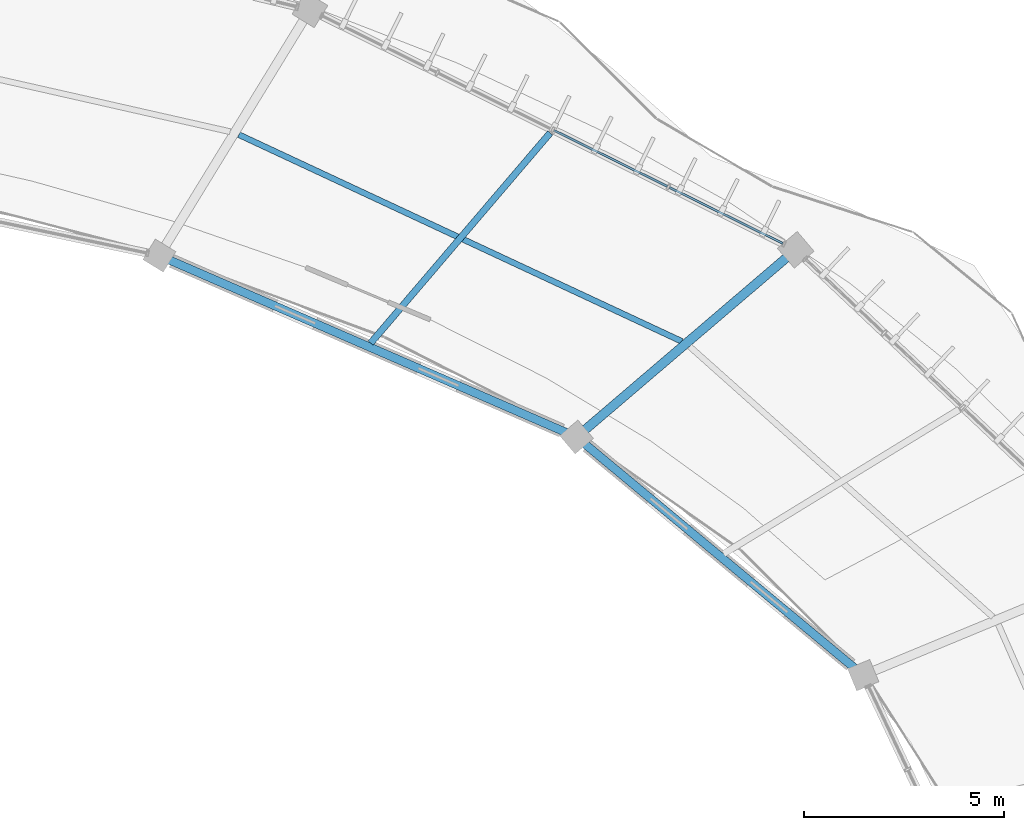
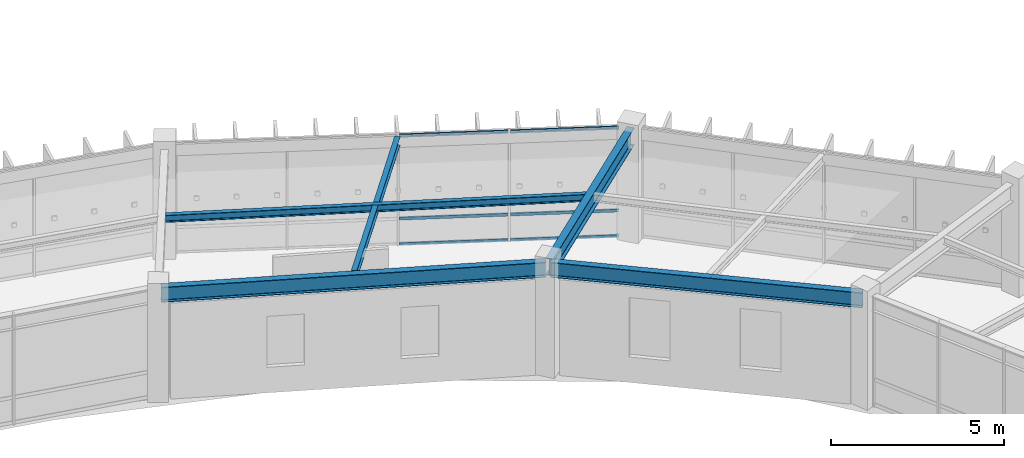
# One storey, part 65 of 114: 6 members, 5 beams, 1 element without a shape of its own.
"""IFC4 building model written with IfcOpenShell, lengths in metres."""

from ifc_helpers import new_model, si_unit, direction, frame, origin, origin_2d, place, context, subcontext, project, spatial, hollow_rectangle, i_section, extrude, material, material_profile, profile_set, type_object, element, aggregate, save


model = new_model("IFC4")

# Units and contexts
model_context = context("Model", 3, precision=1e-05, world=origin(), true_north=direction((0.0, 1.0)))
body_context = subcontext(model_context, "Body", "Model", "MODEL_VIEW")
ifc_project = project(units=[si_unit("LENGTHUNIT", "METRE"), si_unit("AREAUNIT", "SQUARE_METRE"), si_unit("VOLUMEUNIT", "CUBIC_METRE"), si_unit("PLANEANGLEUNIT", "RADIAN"), si_unit("MASSUNIT", "GRAM", prefix="KILO"), si_unit("THERMODYNAMICTEMPERATUREUNIT", "KELVIN"), si_unit("POWERUNIT", "WATT")], contexts=[model_context])

# Site, building, storey
site_placement = place(None, origin())
site = spatial("IfcSite", under=ifc_project, at=site_placement, CompositionType="ELEMENT")
building_placement = place(site_placement, origin())
building = spatial("IfcBuilding", under=site, at=building_placement, Name="Darbajah Civic Hall", CompositionType="ELEMENT")
storey_placement = place(building_placement, frame((0.0, 0.0, 13.800048828125)))
storey = spatial("IfcBuildingStorey", under=building, at=storey_placement, Name="L03", CompositionType="ELEMENT", Elevation=13.800048828125)

# Curtain wall, members
ifc_material_1 = material(Name="Anodised Bronze Aluminium and Low-E Glazing", Category="aluminium")
curtain_wall_type = type_object("IfcCurtainWallType", Name="Unitised Curtain Wall CW-56 12900x3900", PredefinedType="USERDEFINED", material=ifc_material_1)
curtain_wall_placement = place(storey_placement, origin())
curtain_wall = element("IfcCurtainWall", 1, at=curtain_wall_placement, inside=storey, type_object=curtain_wall_type, Name="L03 unitised curtain wall CW-V1O-L03-02", ObjectType="UNITISED CURTAIN WALL", PredefinedType="USERDEFINED")
ifc_material_2 = material(Name="Anodised Bronze Aluminium", Category="aluminium")
ifc_material_profile_1 = material_profile(ifc_material_2, hollow_rectangle(XDim=0.054931640625, YDim=0.10009765625, WallThickness=0.0029296875, at=origin_2d()), Name="ALU TRANSOM 55x100")
ifc_profile_set_1 = profile_set([ifc_material_profile_1], Name="Anodised Bronze Aluminium")
member_type = type_object("IfcMemberType", Name="ALU TRANSOM 55x100", PredefinedType="USERDEFINED", material=ifc_profile_set_1)
member_1_placement = place(storey_placement, frame((127.558349609375, 109.117919921875, 0.050048828125), z_axis=(-0.896537562608, 0.442967717597, 0.0), x_axis=(-0.442967717597, -0.896537562608, 0.0)))
member_1 = element("IfcMember", 2, at=member_1_placement, type_object=member_type, Name="CW-V1O-L03-02 transom 1.1", ObjectType="TRANSOM", PredefinedType="USERDEFINED", context=body_context, shape_type="SweptSolid", body=[
    extrude(hollow_rectangle(XDim=0.054931640625, YDim=0.10009765625, WallThickness=0.0029296875, at=origin_2d()), origin(), (0.0, 0.0, 1.0), 3.15478515625),
])
member_2_placement = place(storey_placement, frame((127.558349609375, 109.117919921875, 0.949951171875), z_axis=(-0.896537562608, 0.442967717597, 0.0), x_axis=(-0.442967717597, -0.896537562608, 0.0)))
member_2 = element("IfcMember", 3, at=member_2_placement, type_object=member_type, Name="CW-V1O-L03-02 transom 1.2", ObjectType="TRANSOM", PredefinedType="USERDEFINED", context=body_context, shape_type="SweptSolid", body=[
    extrude(hollow_rectangle(XDim=0.054931640625, YDim=0.10009765625, WallThickness=0.0029296875, at=origin_2d()), origin(), (0.0, 0.0, 1.0), 3.15478515625),
])
member_3_placement = place(storey_placement, frame((127.558349609375, 109.117919921875, 3.869873046875), z_axis=(-0.896537562608, 0.442967717597, 0.0), x_axis=(-0.442967717597, -0.896537562608, 0.0)))
member_3 = element("IfcMember", 4, at=member_3_placement, type_object=member_type, Name="CW-V1O-L03-02 transom 1.3", ObjectType="TRANSOM", PredefinedType="USERDEFINED", context=body_context, shape_type="SweptSolid", body=[
    extrude(hollow_rectangle(XDim=0.054931640625, YDim=0.10009765625, WallThickness=0.0029296875, at=origin_2d()), origin(), (0.0, 0.0, 1.0), 3.15478515625),
])
member_4_placement = place(storey_placement, frame((124.671630859375, 110.5439453125, 0.050048828125), z_axis=(-0.896537562608, 0.442967717597, 0.0), x_axis=(-0.442967717597, -0.896537562608, 0.0)))
member_4 = element("IfcMember", 5, at=member_4_placement, type_object=member_type, Name="CW-V1O-L03-02 transom 2.1", ObjectType="TRANSOM", PredefinedType="USERDEFINED", context=body_context, shape_type="SweptSolid", body=[
    extrude(hollow_rectangle(XDim=0.054931640625, YDim=0.10009765625, WallThickness=0.0029296875, at=origin_2d()), origin(), (0.0, 0.0, 1.0), 3.15478515625),
])
member_5_placement = place(storey_placement, frame((124.671630859375, 110.5439453125, 0.949951171875), z_axis=(-0.896537562608, 0.442967717597, 0.0), x_axis=(-0.442967717597, -0.896537562608, 0.0)))
member_5 = element("IfcMember", 6, at=member_5_placement, type_object=member_type, Name="CW-V1O-L03-02 transom 2.2", ObjectType="TRANSOM", PredefinedType="USERDEFINED", context=body_context, shape_type="SweptSolid", body=[
    extrude(hollow_rectangle(XDim=0.054931640625, YDim=0.10009765625, WallThickness=0.0029296875, at=origin_2d()), origin(), (0.0, 0.0, 1.0), 3.15478515625),
])
member_6_placement = place(storey_placement, frame((124.671630859375, 110.5439453125, 3.869873046875), z_axis=(-0.896537562608, 0.442967717597, 0.0), x_axis=(-0.442967717597, -0.896537562608, 0.0)))
member_6 = element("IfcMember", 7, at=member_6_placement, type_object=member_type, Name="CW-V1O-L03-02 transom 2.3", ObjectType="TRANSOM", PredefinedType="USERDEFINED", context=body_context, shape_type="SweptSolid", body=[
    extrude(hollow_rectangle(XDim=0.054931640625, YDim=0.10009765625, WallThickness=0.0029296875, at=origin_2d()), origin(), (0.0, 0.0, 1.0), 3.15478515625),
])
aggregate(curtain_wall, [member_1, member_2, member_3, member_4, member_5, member_6])

# Beams
ifc_material_3 = material(Name="Steel S355JR", Category="steel")
ifc_material_profile_2 = material_profile(ifc_material_3, i_section(OverallWidth=0.146484375, OverallDepth=0.256103515625, WebThickness=0.00634765625, FlangeThickness=0.010986328125, FilletRadius=0.007568359375, at=origin_2d()), Name="UB 254x146x37")
ifc_profile_set_2 = profile_set([ifc_material_profile_2], Name="Steel S355JR")
beam_type_1 = type_object("IfcBeamType", Name="UB 254x146x37", PredefinedType="JOIST", material=ifc_profile_set_2)
beam_1_placement = place(storey_placement, frame((125.0380859375, 106.669921875, 3.7919921875), z_axis=(-0.906187225773, 0.422876709982, 0.0), x_axis=(-0.422876709982, -0.906187225773, 0.0)))
element("IfcBeam", 8, at=beam_1_placement, inside=storey, type_object=beam_type_1, Name="L03 beam SJ-254", PredefinedType="JOIST", context=body_context, shape_type="SweptSolid", body=[
    extrude(i_section(OverallWidth=0.146484375, OverallDepth=0.256103515625, WebThickness=0.00634765625, FlangeThickness=0.010986328125, FilletRadius=0.007568359375, at=origin_2d()), origin(), (0.0, 0.0, 1.0), 12.21240234375),
])
ifc_material_profile_3 = material_profile(ifc_material_3, i_section(OverallWidth=0.165771484375, OverallDepth=0.306640625, WebThickness=0.006591796875, FlangeThickness=0.01171875, FilletRadius=0.0087890625, at=origin_2d()), Name="UB 305x165x46")
ifc_profile_set_3 = profile_set([ifc_material_profile_3], Name="Steel S355JR")
beam_type_2 = type_object("IfcBeamType", Name="UB 305x165x46", PredefinedType="JOIST", material=ifc_profile_set_3)
beam_2_placement = place(storey_placement, frame((117.264404296875, 106.62890625, 3.7666015625), z_axis=(0.649456456581, 0.760398784195, 0.0), x_axis=(-0.760398784195, 0.649456456581, 0.0)))
element("IfcBeam", 9, at=beam_2_placement, inside=storey, type_object=beam_type_2, Name="L03 beam SJ-305", PredefinedType="JOIST", context=body_context, shape_type="SweptSolid", body=[
    extrude(i_section(OverallWidth=0.165771484375, OverallDepth=0.306640625, WebThickness=0.006591796875, FlangeThickness=0.01171875, FilletRadius=0.0087890625, at=origin_2d()), origin(), (0.0, 0.0, 1.0), 6.9033203125),
])
ifc_material_profile_4 = material_profile(ifc_material_3, i_section(OverallWidth=0.209228515625, OverallDepth=0.533203125, WebThickness=0.010009765625, FlangeThickness=0.015625, FilletRadius=0.0126953125, at=origin_2d()), Name="UB 533x210x92")
ifc_profile_set_4 = profile_set([ifc_material_profile_4], Name="Steel S355JR")
beam_type_3 = type_object("IfcBeamType", Name="UB 533x210x92", PredefinedType="BEAM", material=ifc_profile_set_4)
beam_3_placement = place(storey_placement, frame((129.50439453125, 98.385009765625, 3.653564453125), z_axis=(-0.769165350471, 0.63904981311, 0.0), x_axis=(-0.63904981311, -0.769165350471, 0.0)))
element("IfcBeam", 10, at=beam_3_placement, inside=storey, type_object=beam_type_3, Name="L03 beam SB-533", PredefinedType="BEAM", context=body_context, shape_type="SweptSolid", body=[
    extrude(i_section(OverallWidth=0.209228515625, OverallDepth=0.533203125, WebThickness=0.010009765625, FlangeThickness=0.015625, FilletRadius=0.0126953125, at=origin_2d()), origin(), (0.0, 0.0, 1.0), 9.14892578125),
])
beam_4_placement = place(storey_placement, frame((122.33251953125, 104.314697265625, 3.653564453125), z_axis=(-0.91705481115, 0.398761173319, 0.0), x_axis=(-0.398761173319, -0.91705481115, 0.0)))
element("IfcBeam", 11, at=beam_4_placement, inside=storey, type_object=beam_type_3, Name="L03 beam SB-533", PredefinedType="BEAM", context=body_context, shape_type="SweptSolid", body=[
    extrude(i_section(OverallWidth=0.209228515625, OverallDepth=0.533203125, WebThickness=0.010009765625, FlangeThickness=0.015625, FilletRadius=0.0126953125, at=origin_2d()), origin(), (0.0, 0.0, 1.0), 11.202880859375),
])
ifc_material_profile_5 = material_profile(ifc_material_3, i_section(OverallWidth=0.228271484375, OverallDepth=0.607666015625, WebThickness=0.010986328125, FlangeThickness=0.017333984375, FilletRadius=0.0126953125, at=origin_2d()), Name="UB 610x229x113")
ifc_profile_set_5 = profile_set([ifc_material_profile_5], Name="Steel S355JR")
beam_type_4 = type_object("IfcBeamType", Name="UB 610x229x113", PredefinedType="BEAM", material=ifc_profile_set_5)
beam_5_placement = place(storey_placement, frame((122.466552734375, 104.334716796875, 3.6162109375), z_axis=(0.760413281686, 0.649439482197, 0.0), x_axis=(-0.649439482197, 0.760413281686, 0.0)))
element("IfcBeam", 12, at=beam_5_placement, inside=storey, type_object=beam_type_4, Name="L03 beam SB-610", PredefinedType="BEAM", context=body_context, shape_type="SweptSolid", body=[
    extrude(i_section(OverallWidth=0.228271484375, OverallDepth=0.607666015625, WebThickness=0.010986328125, FlangeThickness=0.017333984375, FilletRadius=0.0126953125, at=origin_2d()), origin(), (0.0, 0.0, 1.0), 7.0400390625),
])

save(model, "model.ifc")
